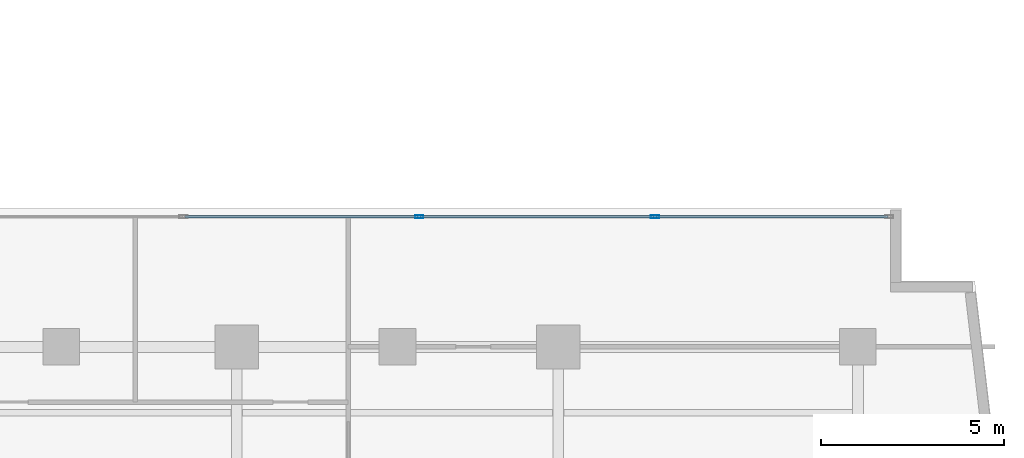
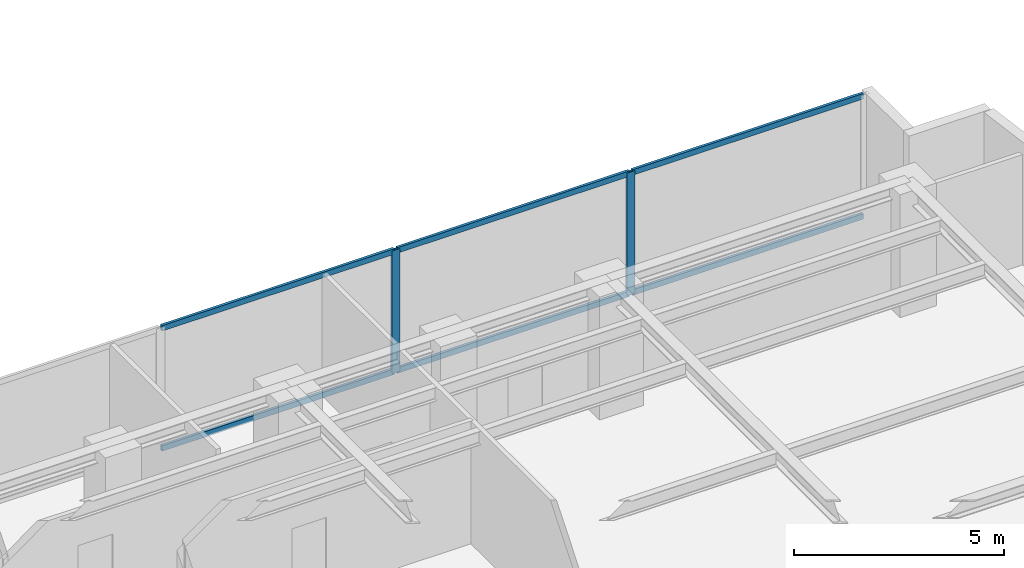
# One storey, part 13 of 24: 8 members, 1 element without a shape of its own.
"""IFC4 building model written with IfcOpenShell, lengths in metres."""

from ifc_helpers import new_model, si_unit, direction, frame, origin, origin_with_axes, origin_2d, place, context, subcontext, project, spatial, hollow_rectangle, extrude, source, transform, mapped, material, layer, layer_set, material_profile, profile_set, type_object, element, aggregate, save


model = new_model("IFC4")

# Units and contexts
model_context = context("Model", 3, precision=1e-05, world=origin(), true_north=direction((0.0, 1.0)))
body_context = subcontext(model_context, "Body", "Model", "MODEL_VIEW")
ifc_project = project(units=[si_unit("LENGTHUNIT", "METRE"), si_unit("AREAUNIT", "SQUARE_METRE"), si_unit("VOLUMEUNIT", "CUBIC_METRE"), si_unit("PLANEANGLEUNIT", "RADIAN"), si_unit("MASSUNIT", "GRAM", prefix="KILO")], contexts=[model_context])

# Site, building, storey
site_placement = place(None, origin())
site = spatial("IfcSite", under=ifc_project, at=site_placement, CompositionType="ELEMENT")
building_placement = place(site_placement, origin())
building = spatial("IfcBuilding", under=site, at=building_placement, Name="Kolvaren Waterfront Exchange", CompositionType="ELEMENT")
storey_placement = place(building_placement, frame((0.0, 0.0, 157.60009765625)))
storey = spatial("IfcBuildingStorey", under=building, at=storey_placement, Name="L40", CompositionType="ELEMENT", Elevation=157.60009765625)

# Curtain wall, members
ifc_material_1 = material(Name="Anodised bronze aluminium 6063-T6", Category="aluminium")
ifc_layer = layer(ifc_material_1, 0.219970703125, Name="Anodised bronze aluminium 6063-T6")
ifc_layer_set = layer_set([ifc_layer], Name="Anodised bronze aluminium 6063-T6")
curtain_wall_type = type_object("IfcCurtainWallType", Name="ARC-CW-SYS1", PredefinedType="USERDEFINED", material=ifc_layer_set)
curtain_wall_placement = place(storey_placement, origin())
curtain_wall = element("IfcCurtainWall", 1, at=curtain_wall_placement, inside=storey, type_object=curtain_wall_type, Name="L40 stick curtain wall CW1 (CW-L40-EN)", ObjectType="STICK CURTAIN WALL", PredefinedType="USERDEFINED")
ifc_material_2 = material(Name="Anodised aluminium 6063-T6", Category="aluminium")
ifc_material_profile_1 = material_profile(ifc_material_2, hollow_rectangle(XDim=0.074951171875, YDim=0.159912109375, WallThickness=0.00439453125, at=origin_2d()), Name="ALU-TRN-160x75x4.5")
ifc_profile_set_1 = profile_set([ifc_material_profile_1], Name="Anodised aluminium 6063-T6")
member_type_1 = type_object("IfcMemberType", Name="ARC-CWT-160", PredefinedType="USERDEFINED", material=ifc_profile_set_1)
shared_shape_1 = source(origin_with_axes(), body_context, "Body", "SweptSolid", [
    extrude(hollow_rectangle(XDim=0.074951171875, YDim=0.159912109375, WallThickness=0.00439453125, at=origin_2d()), origin(), (0.0, 0.0, 1.0), 6.33251953125),
])
member_1_placement = place(storey_placement, frame((48.28759765625, 20.9599609375, 0.037353515625), z_axis=(1.0, 0.0, 0.0), x_axis=(0.0, 1.0, 0.0)))
member_1 = element("IfcMember", 2, at=member_1_placement, type_object=member_type_1, Name="CW1 transom 4.1", ObjectType="TRANSOM", PredefinedType="USERDEFINED", context=body_context, shape_type="MappedRepresentation", body=[
    mapped(shared_shape_1, transform((0.0, 0.0, 0.0), x_axis=(1.0, 0.0, 0.0), y_axis=(0.0, 1.0, 0.0), z_axis=(0.0, 0.0, 1.0), scale=1.0)),
])
member_2_placement = place(storey_placement, frame((48.28759765625, 20.9599609375, 3.5224609375), z_axis=(1.0, 0.0, 0.0), x_axis=(0.0, 1.0, 0.0)))
member_2 = element("IfcMember", 3, at=member_2_placement, type_object=member_type_1, Name="CW1 transom 4.2", ObjectType="TRANSOM", PredefinedType="USERDEFINED", context=body_context, shape_type="MappedRepresentation", body=[
    mapped(shared_shape_1, transform((0.0, 0.0, 0.0), x_axis=(1.0, 0.0, 0.0), y_axis=(0.0, 1.0, 0.0), z_axis=(0.0, 0.0, 1.0), scale=1.0)),
])
shared_shape_2 = source(origin_with_axes(), body_context, "Body", "SweptSolid", [
    extrude(hollow_rectangle(XDim=0.074951171875, YDim=0.159912109375, WallThickness=0.00439453125, at=origin_2d()), origin(), (0.0, 0.0, 1.0), 6.372314453125),
])
member_3_placement = place(storey_placement, frame((35.382568359375, 20.9599609375, 0.037353515625), z_axis=(1.0, 0.0, 0.0), x_axis=(0.0, 1.0, 0.0)))
member_3 = element("IfcMember", 4, at=member_3_placement, type_object=member_type_1, Name="CW1 transom 2.1", ObjectType="TRANSOM", PredefinedType="USERDEFINED", context=body_context, shape_type="MappedRepresentation", body=[
    mapped(shared_shape_2, transform((0.0, 0.0, 0.0), x_axis=(1.0, 0.0, 0.0), y_axis=(0.0, 1.0, 0.0), z_axis=(0.0, 0.0, 1.0), scale=1.0)),
])
member_4_placement = place(storey_placement, frame((35.382568359375, 20.9599609375, 3.5224609375), z_axis=(1.0, 0.0, 0.0), x_axis=(0.0, 1.0, 0.0)))
member_4 = element("IfcMember", 5, at=member_4_placement, type_object=member_type_1, Name="CW1 transom 2.2", ObjectType="TRANSOM", PredefinedType="USERDEFINED", context=body_context, shape_type="MappedRepresentation", body=[
    mapped(shared_shape_2, transform((0.0, 0.0, 0.0), x_axis=(1.0, 0.0, 0.0), y_axis=(0.0, 1.0, 0.0), z_axis=(0.0, 0.0, 1.0), scale=1.0)),
])
shared_shape_3 = source(origin_with_axes(), body_context, "Body", "SweptSolid", [
    extrude(hollow_rectangle(XDim=0.074951171875, YDim=0.159912109375, WallThickness=0.00439453125, at=origin_2d()), origin(), (0.0, 0.0, 1.0), 6.37255859375),
])
member_5_placement = place(storey_placement, frame((41.8349609375, 20.9599609375, 0.037353515625), z_axis=(1.0, 0.0, 0.0), x_axis=(0.0, 1.0, 0.0)))
member_5 = element("IfcMember", 6, at=member_5_placement, type_object=member_type_1, Name="CW1 transom 3.1", ObjectType="TRANSOM", PredefinedType="USERDEFINED", context=body_context, shape_type="MappedRepresentation", body=[
    mapped(shared_shape_3, transform((0.0, 0.0, 0.0), x_axis=(1.0, 0.0, 0.0), y_axis=(0.0, 1.0, 0.0), z_axis=(0.0, 0.0, 1.0), scale=1.0)),
])
member_6_placement = place(storey_placement, frame((41.8349609375, 20.9599609375, 3.5224609375), z_axis=(1.0, 0.0, 0.0), x_axis=(0.0, 1.0, 0.0)))
member_6 = element("IfcMember", 7, at=member_6_placement, type_object=member_type_1, Name="CW1 transom 3.2", ObjectType="TRANSOM", PredefinedType="USERDEFINED", context=body_context, shape_type="MappedRepresentation", body=[
    mapped(shared_shape_3, transform((0.0, 0.0, 0.0), x_axis=(1.0, 0.0, 0.0), y_axis=(0.0, 1.0, 0.0), z_axis=(0.0, 0.0, 1.0), scale=1.0)),
])
ifc_material_profile_2 = material_profile(ifc_material_2, hollow_rectangle(XDim=0.080078125, YDim=0.219970703125, WallThickness=0.0048828125, at=origin_2d()), Name="ALU-MUL-220x80x5")
ifc_profile_set_2 = profile_set([ifc_material_profile_2], Name="Anodised aluminium 6063-T6")
member_type_2 = type_object("IfcMemberType", Name="ARC-CWM-220", PredefinedType="MULLION", material=ifc_profile_set_2)
shared_shape_4 = source(origin_with_axes(), body_context, "Body", "SweptSolid", [
    extrude(hollow_rectangle(XDim=0.080078125, YDim=0.219970703125, WallThickness=0.0048828125, at=origin_2d()), origin(), (0.0, 0.0, 1.0), 3.559814453125),
])
member_7_placement = place(storey_placement, frame((41.794921875, 20.9599609375, 0.0), z_axis=(0.0, 0.0, 1.0), x_axis=(0.0, 1.0, 0.0)))
member_7 = element("IfcMember", 8, at=member_7_placement, type_object=member_type_2, Name="CW1 mullion 3", PredefinedType="MULLION", context=body_context, shape_type="MappedRepresentation", body=[
    mapped(shared_shape_4, transform((0.0, 0.0, 0.0), x_axis=(1.0, 0.0, 0.0), y_axis=(0.0, 1.0, 0.0), z_axis=(0.0, 0.0, 1.0), scale=1.0)),
])
member_8_placement = place(storey_placement, frame((48.24755859375, 20.9599609375, 0.0), z_axis=(0.0, 0.0, 1.0), x_axis=(0.0, 1.0, 0.0)))
member_8 = element("IfcMember", 9, at=member_8_placement, type_object=member_type_2, Name="CW1 mullion 4", PredefinedType="MULLION", context=body_context, shape_type="MappedRepresentation", body=[
    mapped(shared_shape_4, transform((0.0, 0.0, 0.0), x_axis=(1.0, 0.0, 0.0), y_axis=(0.0, 1.0, 0.0), z_axis=(0.0, 0.0, 1.0), scale=1.0)),
])
aggregate(curtain_wall, [member_7, member_8, member_3, member_4, member_5, member_6, member_1, member_2])

save(model, "model.ifc")
